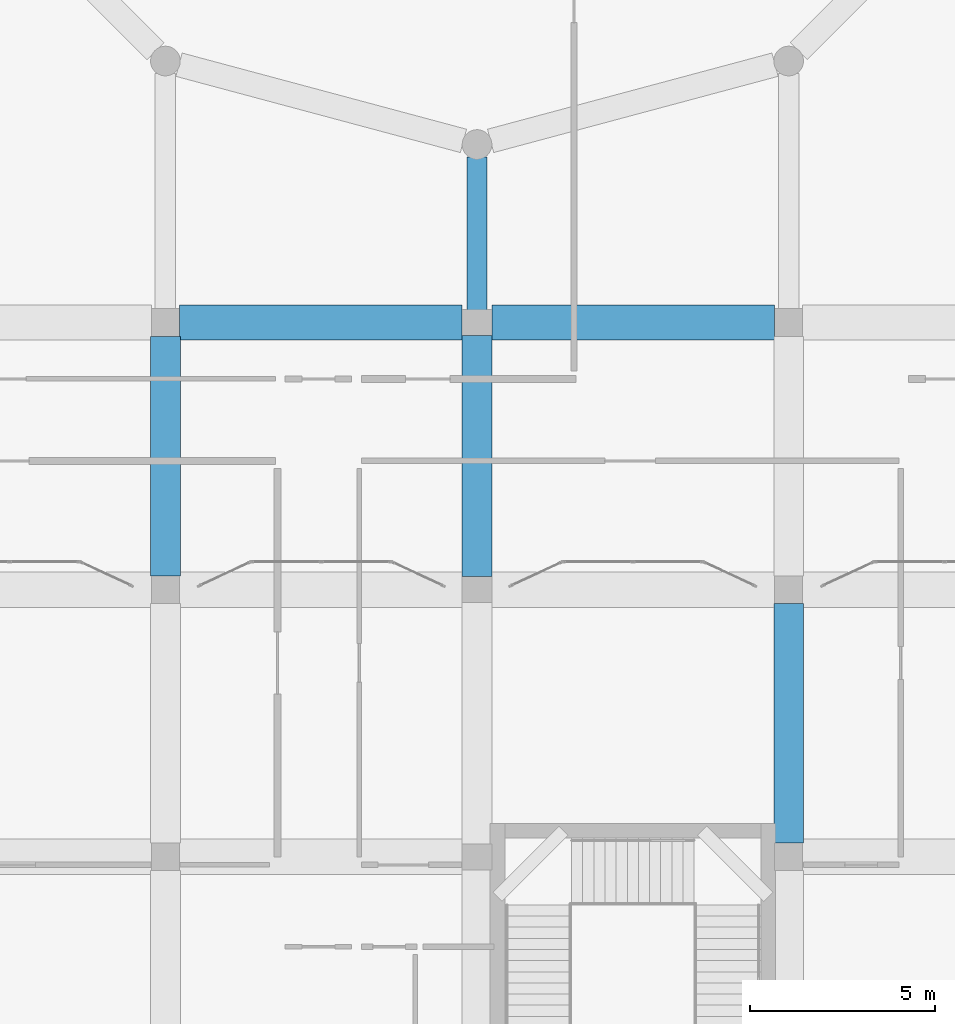
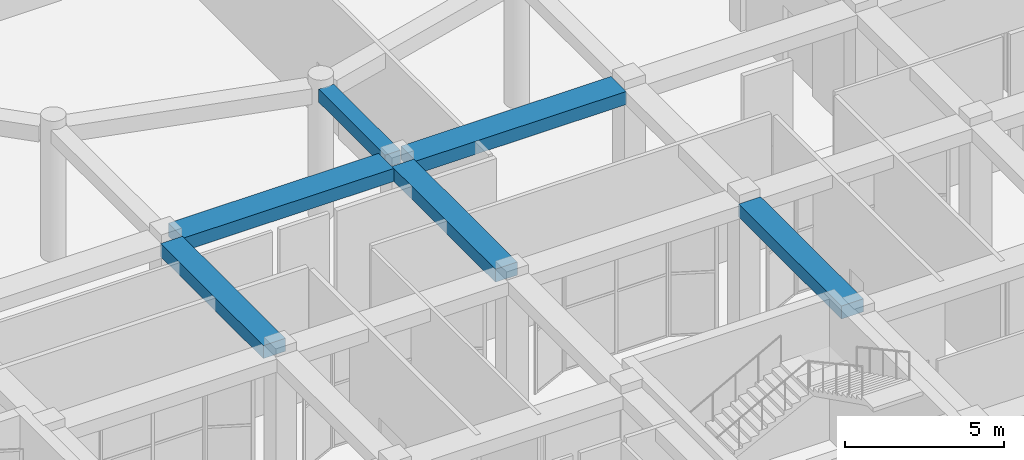
# One storey, part 13 of 84: 6 beams.
"""IFC4 building model written with IfcOpenShell, lengths in metres."""

from ifc_helpers import new_model, si_unit, derived_unit, direction, frame, origin, origin_2d, place, context, subcontext, project, spatial, rectangle, extrude, material, material_profile, profile_set, type_object, element, save


model = new_model("IFC4")

# Units and contexts
model_context = context("Model", 3, precision=1e-05, world=origin(), true_north=direction((0.0, 1.0)))
body_context = subcontext(model_context, "Body", "Model", "MODEL_VIEW")
ifc_project = project(units=[si_unit("LENGTHUNIT", "METRE"), si_unit("AREAUNIT", "SQUARE_METRE"), si_unit("VOLUMEUNIT", "CUBIC_METRE"), si_unit("PLANEANGLEUNIT", "RADIAN"), si_unit("MASSUNIT", "GRAM", prefix="KILO"), derived_unit("THERMALTRANSMITTANCEUNIT", [(si_unit("POWERUNIT", "WATT"), 1), (si_unit("LENGTHUNIT", "METRE"), -2), (si_unit("THERMODYNAMICTEMPERATUREUNIT", "KELVIN"), -1)])], contexts=[model_context])

# Site, building, storey
site_placement = place(None, origin())
site = spatial("IfcSite", under=ifc_project, at=site_placement, CompositionType="ELEMENT")
building_placement = place(site_placement, origin())
building = spatial("IfcBuilding", under=site, at=building_placement, Name="Veybourne Emporium", CompositionType="ELEMENT")
storey_placement = place(building_placement, origin())
storey = spatial("IfcBuildingStorey", under=building, at=storey_placement, Name="L00", CompositionType="ELEMENT", Elevation=0.0)

# Beams
ifc_material = material(Name="Concrete C32/40", Category="concrete")
ifc_material_profile_1 = material_profile(ifc_material, rectangle(XDim=0.949951171875, YDim=0.5, at=origin_2d()), Name="RC 950x500")
ifc_profile_set_1 = profile_set([ifc_material_profile_1], Name="Concrete C32/40")
beam_type_1 = type_object("IfcBeamType", Name="RCBeam_BB-01", PredefinedType="BEAM", material=ifc_profile_set_1)
for number, where, z_axis, x_axis, name in (
    (1, (67.574951171875, 28.800048828125, 4.830078125), (1.0, 0.0, 0.0), (0.0, 1.0, 0.0), "L00 X-grid beam BB-01 (8,4)"),
    (2, (76.0, 28.800048828125, 4.830078125), (1.0, 0.0, 0.0), (0.0, 1.0, 0.0), "L00 X-grid beam BB-01 (9,4)"),
):
    element("IfcBeam", number, at=place(storey_placement, frame(where, z_axis=z_axis, x_axis=x_axis)), inside=storey, type_object=beam_type_1, Name=name, PredefinedType="BEAM", context=body_context, shape_type="SweptSolid", body=[
        extrude(rectangle(XDim=0.949951171875, YDim=0.5, at=origin_2d()), origin(), (0.0, 0.0, 1.0), 7.625),
    ])
ifc_material_profile_2 = material_profile(ifc_material, rectangle(XDim=0.800048828125, YDim=0.5, at=origin_2d()), Name="RC 800x500")
ifc_profile_set_2 = profile_set([ifc_material_profile_2], Name="Concrete C32/40")
beam_type_2 = type_object("IfcBeamType", Name="RCBeam_BB-02", PredefinedType="BEAM", material=ifc_profile_set_2)
beam_1_placement = place(storey_placement, frame((67.199951171875, 21.97509765625, 4.830078125), z_axis=(0.0, 1.0, 0.0), x_axis=(-1.0, 0.0, 0.0)))
element("IfcBeam", 3, at=beam_1_placement, inside=storey, type_object=beam_type_2, Name="L00 Y-grid beam BB-02 (8,3)", PredefinedType="BEAM", context=body_context, shape_type="SweptSolid", body=[
    extrude(rectangle(XDim=0.800048828125, YDim=0.5, at=origin_2d()), origin(), (0.0, 0.0, 1.0), 6.449951171875),
])
beam_2_placement = place(storey_placement, frame((75.60009765625, 21.949951171875, 4.830078125), z_axis=(0.0, 1.0, 0.0), x_axis=(-1.0, 0.0, 0.0)))
element("IfcBeam", 4, at=beam_2_placement, inside=storey, type_object=beam_type_2, Name="L00 Y-grid beam BB-02 (9,3)", PredefinedType="BEAM", context=body_context, shape_type="SweptSolid", body=[
    extrude(rectangle(XDim=0.800048828125, YDim=0.5, at=origin_2d()), origin(), (0.0, 0.0, 1.0), 6.5),
])
beam_3_placement = place(storey_placement, frame((84.0, 14.77490234375, 4.830078125), z_axis=(0.0, 1.0, 0.0), x_axis=(-1.0, 0.0, 0.0)))
element("IfcBeam", 5, at=beam_3_placement, inside=storey, type_object=beam_type_2, Name="L00 Y-grid beam BB-02 (10,2)", PredefinedType="BEAM", context=body_context, shape_type="SweptSolid", body=[
    extrude(rectangle(XDim=0.800048828125, YDim=0.5, at=origin_2d()), origin(), (0.0, 0.0, 1.0), 6.4501953125),
])
ifc_material_profile_3 = material_profile(ifc_material, rectangle(XDim=0.550048828125, YDim=0.5, at=origin_2d()), Name="RC 550x500")
ifc_profile_set_3 = profile_set([ifc_material_profile_3], Name="Concrete C32/40")
beam_type_3 = type_object("IfcBeamType", Name="RCBeam_TB-01", PredefinedType="BEAM", material=ifc_profile_set_3)
beam_4_placement = place(storey_placement, frame((75.60009765625, 33.260009765625, 4.830078125), z_axis=(0.0, -1.0, 0.0), x_axis=(1.0, 0.0, 0.0)))
element("IfcBeam", 6, at=beam_4_placement, inside=storey, type_object=beam_type_3, Name="Atrium radial tie beam L00-10", PredefinedType="BEAM", context=body_context, shape_type="SweptSolid", body=[
    extrude(rectangle(XDim=0.550048828125, YDim=0.5, at=origin_2d()), origin(), (0.0, 0.0, 1.0), 4.169921875),
])

save(model, "model.ifc")
